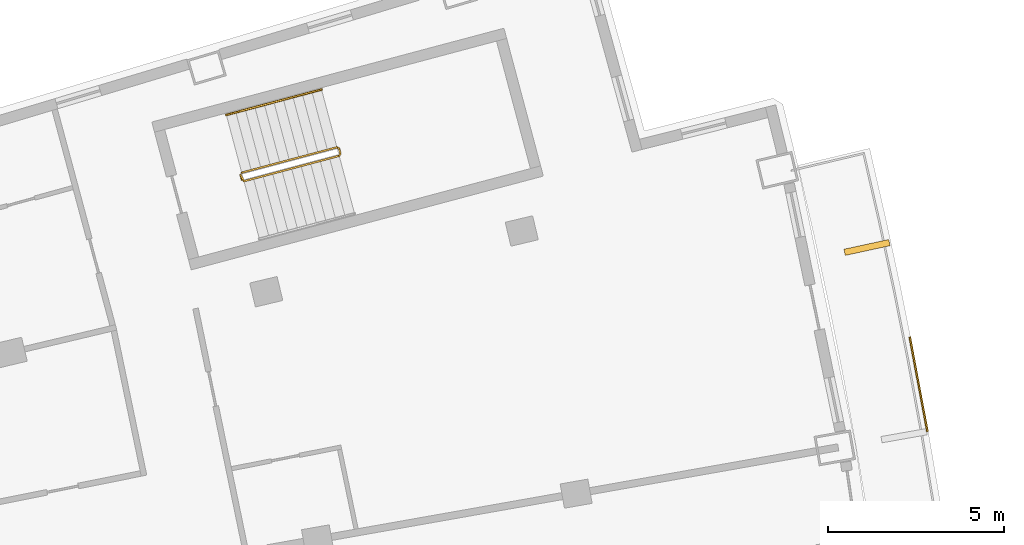
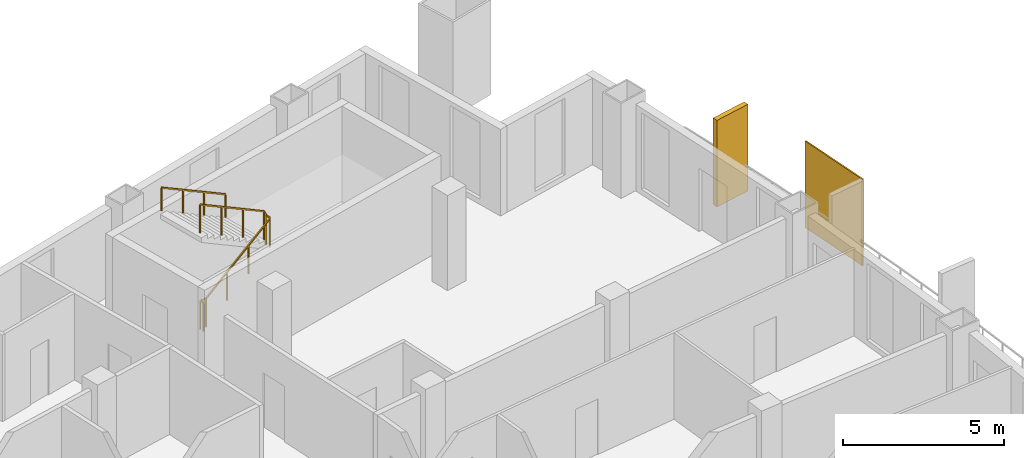
# One storey, part 19 of 19: 2 railings, 2 shading devices.
"""IFC4 building model written with IfcOpenShell, lengths in metres."""

from ifc_helpers import new_model, si_unit, direction, frame, origin, origin_2d, place, context, subcontext, project, spatial, rectangle, extrude, material, layer, layer_set, type_object, element, save


model = new_model("IFC4")

# Units and contexts
model_context = context("Model", 3, precision=1e-05, world=origin(), true_north=direction((0.0, 1.0)))
body_context = subcontext(model_context, "Body", "Model", "MODEL_VIEW")
ifc_project = project(units=[si_unit("LENGTHUNIT", "METRE"), si_unit("AREAUNIT", "SQUARE_METRE"), si_unit("VOLUMEUNIT", "CUBIC_METRE"), si_unit("PLANEANGLEUNIT", "RADIAN"), si_unit("MASSUNIT", "GRAM", prefix="KILO")], contexts=[model_context])

# Site, building, storey
site_placement = place(None, origin())
site = spatial("IfcSite", under=ifc_project, at=site_placement, CompositionType="ELEMENT")
building_placement = place(site_placement, origin())
building = spatial("IfcBuilding", under=site, at=building_placement, Name="Alderwake Tower", CompositionType="ELEMENT")
storey_placement = place(building_placement, frame((0.0, 0.0, 203.60009765625)))
storey = spatial("IfcBuildingStorey", under=building, at=storey_placement, Name="L50", CompositionType="ELEMENT", Elevation=203.60009765625)

# Shading devices
ifc_material_1 = material(Name="Bronze anodised aluminium", Category="aluminium")
ifc_layer_1 = layer(ifc_material_1, 0.179931640625)
ifc_layer_set_1 = layer_set([ifc_layer_1], Name="Facade fin 1300")
shading_device_type_1 = type_object("IfcShadingDeviceType", Name="Facade fin 1300", PredefinedType="USERDEFINED", material=ifc_layer_set_1)
shading_device_1_placement = place(storey_placement, frame((57.0048828125, 90.760498046875, 0.0), z_axis=(0.0, 0.0, 1.0), x_axis=(0.977210363881, 0.212273184185, 0.0)))
element("IfcShadingDevice", 1, at=shading_device_1_placement, inside=storey, type_object=shading_device_type_1, Name="Fin", ObjectType="FIN", PredefinedType="USERDEFINED", context=body_context, shape_type="SweptSolid", body=[
    extrude(rectangle(XDim=1.300048828125, YDim=0.179931640625, at=origin_2d()), origin(), (0.0, 0.0, 1.0), 3.280029296875),
])
ifc_material_2 = material(Name="Perforated bronze anodised aluminium", Category="aluminium")
ifc_layer_2 = layer(ifc_material_2, 0.050048828125)
ifc_layer_set_2 = layer_set([ifc_layer_2], Name="Perforated screen panel")
shading_device_type_2 = type_object("IfcShadingDeviceType", Name="Perforated screen panel", PredefinedType="USERDEFINED", material=ifc_layer_set_2)
shading_device_2_placement = place(storey_placement, frame((58.472412109375, 86.87060546875, 0.0), z_axis=(0.0, 0.0, 1.0), x_axis=(0.982991488043, 0.183651121519, 0.0)))
element("IfcShadingDevice", 2, at=shading_device_2_placement, inside=storey, type_object=shading_device_type_2, Name="Screen panel", ObjectType="SCREEN", PredefinedType="USERDEFINED", context=body_context, shape_type="SweptSolid", body=[
    extrude(rectangle(XDim=0.050048828125, YDim=2.73291015625, at=origin_2d()), origin(), (0.0, 0.0, 1.0), 3.280029296875),
])

# Railings
ifc_material_3 = material(Name="Stainless steel guard", Category="steel")
railing_type_1 = type_object("IfcRailingType", Name="Stair guard 1100", PredefinedType="GUARDRAIL", material=ifc_material_3)
railing_1_placement = place(storey_placement, frame((39.23291015625, 92.6806640625, 0.0)))
element("IfcRailing", 3, at=railing_1_placement, inside=storey, type_object=railing_type_1, Name="L50 ST-A stair guard 1", PredefinedType="GUARDRAIL", context=body_context, shape_type="SweptSolid", body=[
    extrude(rectangle(XDim=0.048095703125, YDim=0.048095703125, at=origin_2d()), frame((0.0, 0.0, 1.076171875), z_axis=(-0.257055032184, 0.966396766566, 0.0), x_axis=(-0.966396766566, -0.257055032184, 0.0)), (0.0, 0.0, 1.0), 0.150146484375),
    extrude(rectangle(XDim=0.048095703125, YDim=0.048095703125, at=origin_2d()), frame((-0.03857421875, 0.14501953125, 1.076171875), z_axis=(0.379370725808, -0.685464465458, 0.621463047167), x_axis=(0.874937996095, 0.484234966715, 0.0)), (0.0, 0.0, 1.0), 0.26318359375),
    extrude(rectangle(XDim=0.048095703125, YDim=0.048095703125, at=origin_2d()), frame((0.061279296875, -0.035400390625, 1.23974609375), z_axis=(0.834290631165, 0.222236594766, 0.504549342183), x_axis=(-0.257402139082, 0.966304371715, 0.0)), (0.0, 0.0, 1.0), 3.242919921875),
    extrude(rectangle(XDim=0.048095703125, YDim=0.048095703125, at=origin_2d()), frame((2.766845703125, 0.685302734375, 2.8759765625), z_axis=(0.500220121494, 0.865898279276, 0.0), x_axis=(-0.865898279276, 0.500220121494, 0.0)), (0.0, 0.0, 1.0), 0.07080078125),
    extrude(rectangle(XDim=0.048095703125, YDim=0.048095703125, at=origin_2d()), frame((2.80224609375, 0.74658203125, 2.8759765625), z_axis=(-0.257459803502, 0.966289009345, 0.0), x_axis=(-0.966289009345, -0.257459803502, 0.0)), (0.0, 0.0, 1.0), 0.14990234375),
    extrude(rectangle(XDim=0.048095703125, YDim=0.048095703125, at=origin_2d()), frame((2.763671875, 0.891357421875, 2.8759765625), z_axis=(-0.34209458732, 0.199783238995, 0.918181872367), x_axis=(-0.504300490226, -0.863528236688, 0.0)), (0.0, 0.0, 1.0), 0.178466796875),
    extrude(rectangle(XDim=0.048095703125, YDim=0.048095703125, at=origin_2d()), frame((2.70263671875, 0.927001953125, 3.03955078125), z_axis=(-0.834313512087, -0.222222637163, 0.504517653885), x_axis=(0.257380452725, -0.966310148221, 0.0)), (0.0, 0.0, 1.0), 3.2431640625),
    extrude(rectangle(XDim=0.0419921875, YDim=0.0419921875, at=origin_2d()), frame((0.0, 0.0, 0.0), z_axis=(0.0, 0.0, 1.0), x_axis=(-0.257055032184, 0.966396766566, 0.0)), (0.0, 0.0, 1.0), 1.052001953125),
    extrude(rectangle(XDim=0.0419921875, YDim=0.0419921875, at=origin_2d()), frame((-0.03857421875, 0.14501953125, 0.0), z_axis=(0.0, 0.0, 1.0), x_axis=(0.484234966715, -0.874937996095, 0.0)), (0.0, 0.0, 1.0), 1.052001953125),
    extrude(rectangle(XDim=0.0419921875, YDim=0.0419921875, at=origin_2d()), frame((0.061279296875, -0.035400390625, 0.16357421875), z_axis=(0.0, 0.0, 1.0), x_axis=(0.966304371715, 0.257402139082, 0.0)), (0.0, 0.0, 1.0), 1.052001953125),
    extrude(rectangle(XDim=0.0419921875, YDim=0.0419921875, at=origin_2d()), frame((0.963134765625, 0.204833984375, 0.708984375), z_axis=(0.0, 0.0, 1.0), x_axis=(0.966304371715, 0.257402139082, 0.0)), (0.0, 0.0, 1.0), 1.052001953125),
    extrude(rectangle(XDim=0.0419921875, YDim=0.0419921875, at=origin_2d()), frame((1.864990234375, 0.445068359375, 1.25439453125), z_axis=(0.0, 0.0, 1.0), x_axis=(0.966304371715, 0.257402139082, 0.0)), (0.0, 0.0, 1.0), 1.052001953125),
    extrude(rectangle(XDim=0.0419921875, YDim=0.0419921875, at=origin_2d()), frame((2.766845703125, 0.685302734375, 1.7998046875), z_axis=(0.0, 0.0, 1.0), x_axis=(0.500220121494, 0.865898279276, 0.0)), (0.0, 0.0, 1.0), 1.052001953125),
    extrude(rectangle(XDim=0.0419921875, YDim=0.0419921875, at=origin_2d()), frame((2.80224609375, 0.74658203125, 1.7998046875), z_axis=(0.0, 0.0, 1.0), x_axis=(-0.257459803502, 0.966289009345, 0.0)), (0.0, 0.0, 1.0), 1.052001953125),
    extrude(rectangle(XDim=0.0419921875, YDim=0.0419921875, at=origin_2d()), frame((2.763671875, 0.891357421875, 1.7998046875), z_axis=(0.0, 0.0, 1.0), x_axis=(-0.863528236688, 0.504300490226, 0.0)), (0.0, 0.0, 1.0), 1.052001953125),
    extrude(rectangle(XDim=0.0419921875, YDim=0.0419921875, at=origin_2d()), frame((2.70263671875, 0.927001953125, 1.963623046875), z_axis=(0.0, 0.0, 1.0), x_axis=(-0.966310148221, -0.257380452725, 0.0)), (0.0, 0.0, 1.0), 1.052001953125),
    extrude(rectangle(XDim=0.0419921875, YDim=0.0419921875, at=origin_2d()), frame((1.80078125, 0.686767578125, 2.509033203125), z_axis=(0.0, 0.0, 1.0), x_axis=(-0.966310148221, -0.257380452725, 0.0)), (0.0, 0.0, 1.0), 1.052001953125),
    extrude(rectangle(XDim=0.0419921875, YDim=0.0419921875, at=origin_2d()), frame((0.898681640625, 0.446533203125, 3.054443359375), z_axis=(0.0, 0.0, 1.0), x_axis=(-0.966310148221, -0.257380452725, 0.0)), (0.0, 0.0, 1.0), 1.052001953125),
    extrude(rectangle(XDim=0.0419921875, YDim=0.0419921875, at=origin_2d()), frame((-0.003173828125, 0.206298828125, 3.599853515625), z_axis=(0.0, 0.0, 1.0), x_axis=(-0.966310148221, -0.257380452725, 0.0)), (0.0, 0.0, 1.0), 1.052001953125),
])
ifc_material_4 = material(Name="Stainless steel handrail", Category="steel")
railing_type_2 = type_object("IfcRailingType", Name="Stair handrail 900", PredefinedType="HANDRAIL", material=ifc_material_4)
railing_2_placement = place(storey_placement, frame((41.497802734375, 95.250244140625, 1.963623046875)))
element("IfcRailing", 4, at=railing_2_placement, inside=storey, type_object=railing_type_2, Name="L50 ST-A stair handrail 2", PredefinedType="HANDRAIL", context=body_context, shape_type="SweptSolid", body=[
    extrude(rectangle(XDim=0.048095703125, YDim=0.048095703125, at=origin_2d()), frame((0.0, 0.0, 0.8759765625), z_axis=(-0.834290631165, -0.222236594766, 0.504549342183), x_axis=(0.257402139082, -0.966304371715, 0.0)), (0.0, 0.0, 1.0), 3.242919921875),
    extrude(rectangle(XDim=0.0419921875, YDim=0.0419921875, at=origin_2d()), frame((0.0, 0.0, 0.0), z_axis=(0.0, 0.0, 1.0), x_axis=(-0.966304371715, -0.257402139082, 0.0)), (0.0, 0.0, 1.0), 0.851806640625),
    extrude(rectangle(XDim=0.0419921875, YDim=0.0419921875, at=origin_2d()), frame((-0.90185546875, -0.240234375, 0.54541015625), z_axis=(0.0, 0.0, 1.0), x_axis=(-0.966304371715, -0.257402139082, 0.0)), (0.0, 0.0, 1.0), 0.851806640625),
    extrude(rectangle(XDim=0.0419921875, YDim=0.0419921875, at=origin_2d()), frame((-1.8037109375, -0.48046875, 1.0908203125), z_axis=(0.0, 0.0, 1.0), x_axis=(-0.966304371715, -0.257402139082, 0.0)), (0.0, 0.0, 1.0), 0.851806640625),
    extrude(rectangle(XDim=0.0419921875, YDim=0.0419921875, at=origin_2d()), frame((-2.70556640625, -0.720703125, 1.63623046875), z_axis=(0.0, 0.0, 1.0), x_axis=(-0.966304371715, -0.257402139082, 0.0)), (0.0, 0.0, 1.0), 0.851806640625),
])

save(model, "model.ifc")
